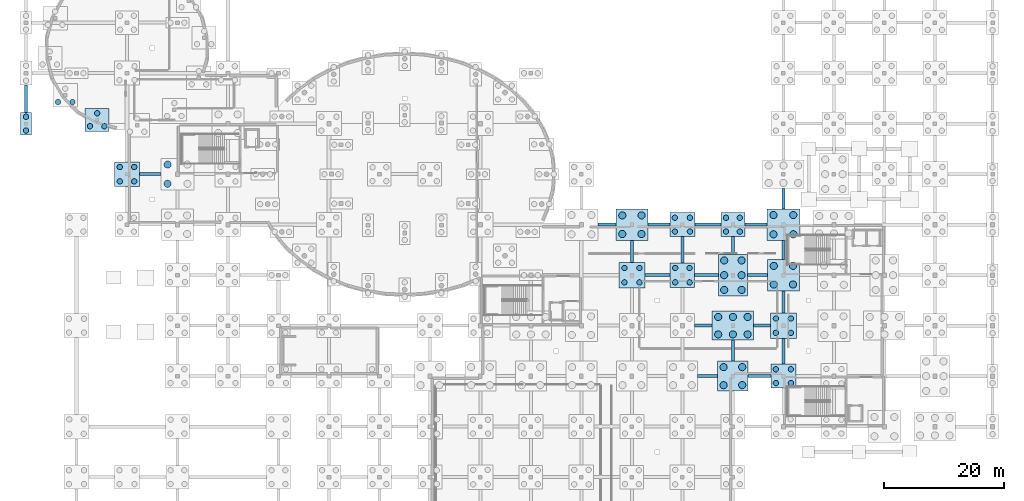
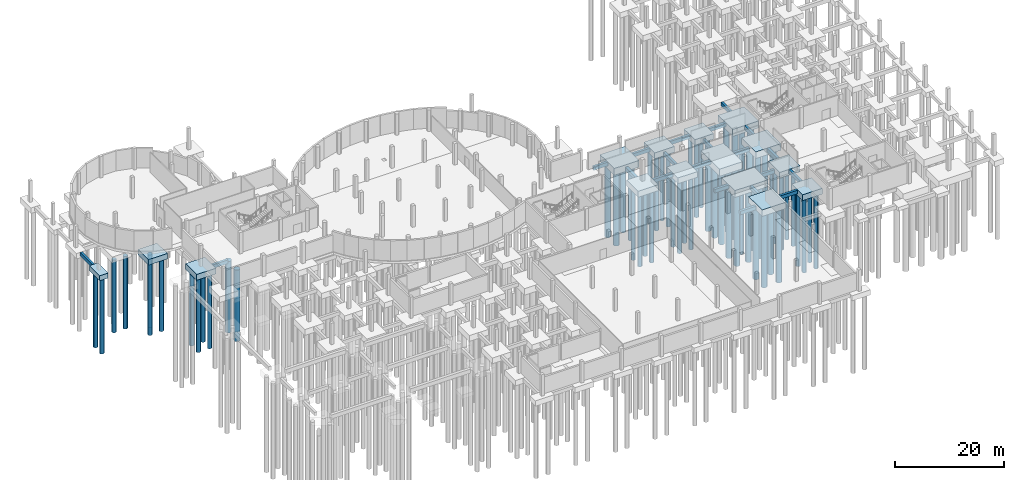
# One storey, part 6 of 24: 65 piles, 36 footings.
"""IFC4 building model written with IfcOpenShell, lengths in metres."""

from ifc_helpers import new_model, si_unit, derived_unit, direction, frame, origin, origin_2d, place, context, subcontext, project, spatial, rectangle, circle, extrude, material, layer, layer_set, material_profile, profile_set, type_object, element, save


model = new_model("IFC4")

# Units and contexts
model_context = context("Model", 3, precision=1e-05, world=origin(), true_north=direction((0.0, 1.0)))
body_context = subcontext(model_context, "Body", "Model", "MODEL_VIEW")
ifc_project = project(units=[si_unit("LENGTHUNIT", "METRE"), si_unit("AREAUNIT", "SQUARE_METRE"), si_unit("VOLUMEUNIT", "CUBIC_METRE"), si_unit("PLANEANGLEUNIT", "RADIAN"), si_unit("MASSUNIT", "GRAM", prefix="KILO"), derived_unit("THERMALTRANSMITTANCEUNIT", [(si_unit("POWERUNIT", "WATT"), 1), (si_unit("LENGTHUNIT", "METRE"), -2), (si_unit("THERMODYNAMICTEMPERATUREUNIT", "KELVIN"), -1)])], contexts=[model_context])

# Site, building, storey
site_placement = place(None, origin())
site = spatial("IfcSite", under=ifc_project, at=site_placement, CompositionType="ELEMENT")
building_placement = place(site_placement, origin())
building = spatial("IfcBuilding", under=site, at=building_placement, Name="Elbkamm Science Centre", CompositionType="ELEMENT")
storey_placement = place(building_placement, frame((0.0, 0.0, -4.800048828125)))
storey = spatial("IfcBuildingStorey", under=building, at=storey_placement, Name="B01", CompositionType="ELEMENT", Elevation=-4.800048828125)

# Footings
ifc_material = material(Name="Concrete C35/45", Category="concrete")
footing_type_1 = type_object("IfcFootingType", Name="FTG-TIE-500x800", PredefinedType="FOOTING_BEAM", material=ifc_material)
footing_1_placement = place(storey_placement, frame((113.39990234375, 33.60009765625, -1.2998046875), z_axis=(0.0, 0.0, 1.0), x_axis=(1.0, 0.0, 0.0)))
element("IfcFooting", 1, at=footing_1_placement, inside=storey, type_object=footing_type_1, Name="Substructure Ground Tie Beam X-053", PredefinedType="FOOTING_BEAM", context=body_context, shape_type="SweptSolid", body=[
    extrude(rectangle(XDim=3.300048828125, YDim=0.5, at=origin_2d()), origin(), (0.0, 0.0, 1.0), 0.800048828125),
])
footing_2_placement = place(storey_placement, frame((122.02490234375, 33.60009765625, -0.7998046875), z_axis=(0.0, 0.0, 1.0), x_axis=(1.0, 0.0, 0.0)))
element("IfcFooting", 2, at=footing_2_placement, inside=storey, type_object=footing_type_1, Name="Substructure Ground Tie Beam X-054", PredefinedType="FOOTING_BEAM", context=body_context, shape_type="SweptSolid", body=[
    extrude(rectangle(XDim=3.75, YDim=0.5, at=origin_2d()), origin(), (0.0, 0.0, 1.0), 0.800048828125),
])
footing_3_placement = place(storey_placement, frame((112.675048828125, 42.0, -1.2998046875), z_axis=(0.0, 0.0, 1.0), x_axis=(1.0, 0.0, 0.0)))
element("IfcFooting", 3, at=footing_3_placement, inside=storey, type_object=footing_type_1, Name="Substructure Ground Tie Beam X-066", PredefinedType="FOOTING_BEAM", context=body_context, shape_type="SweptSolid", body=[
    extrude(rectangle(XDim=2.949951171875, YDim=0.5, at=origin_2d()), origin(), (0.0, 0.0, 1.0), 0.800048828125),
])
footing_4_placement = place(storey_placement, frame((122.449951171875, 42.0, -1.2998046875), z_axis=(0.0, 0.0, 1.0), x_axis=(1.0, 0.0, 0.0)))
element("IfcFooting", 4, at=footing_4_placement, inside=storey, type_object=footing_type_1, Name="Substructure Ground Tie Beam X-067", PredefinedType="FOOTING_BEAM", context=body_context, shape_type="SweptSolid", body=[
    extrude(rectangle(XDim=2.800048828125, YDim=0.5, at=origin_2d()), origin(), (0.0, 0.0, 1.0), 0.800048828125),
])
footing_5_placement = place(storey_placement, frame((105.050048828125, 50.39990234375, -1.2998046875), z_axis=(0.0, 0.0, 1.0), x_axis=(1.0, 0.0, 0.0)))
element("IfcFooting", 5, at=footing_5_placement, inside=storey, type_object=footing_type_1, Name="Substructure Ground Tie Beam X-074", PredefinedType="FOOTING_BEAM", context=body_context, shape_type="SweptSolid", body=[
    extrude(rectangle(XDim=4.199951171875, YDim=0.5, at=origin_2d()), origin(), (0.0, 0.0, 1.0), 0.800048828125),
])
footing_6_placement = place(storey_placement, frame((113.22509765625, 50.39990234375, -1.2998046875), z_axis=(0.0, 0.0, 1.0), x_axis=(1.0, 0.0, 0.0)))
element("IfcFooting", 6, at=footing_6_placement, inside=storey, type_object=footing_type_1, Name="Substructure Ground Tie Beam X-075", PredefinedType="FOOTING_BEAM", context=body_context, shape_type="SweptSolid", body=[
    extrude(rectangle(XDim=3.949951171875, YDim=0.5, at=origin_2d()), origin(), (0.0, 0.0, 1.0), 0.800048828125),
])
footing_7_placement = place(storey_placement, frame((121.675048828125, 50.39990234375, -1.2998046875), z_axis=(0.0, 0.0, 1.0), x_axis=(1.0, 0.0, 0.0)))
element("IfcFooting", 7, at=footing_7_placement, inside=storey, type_object=footing_type_1, Name="Substructure Ground Tie Beam X-076", PredefinedType="FOOTING_BEAM", context=body_context, shape_type="SweptSolid", body=[
    extrude(rectangle(XDim=3.35009765625, YDim=0.5, at=origin_2d()), origin(), (0.0, 0.0, 1.0), 0.800048828125),
])
footing_8_placement = place(storey_placement, frame((96.64990234375, 58.800048828125, -0.7998046875), z_axis=(0.0, 0.0, 1.0), x_axis=(1.0, 0.0, 0.0)))
element("IfcFooting", 8, at=footing_8_placement, inside=storey, type_object=footing_type_1, Name="Substructure Ground Tie Beam X-085", PredefinedType="FOOTING_BEAM", context=body_context, shape_type="SweptSolid", body=[
    extrude(rectangle(XDim=3.0, YDim=0.5, at=origin_2d()), origin(), (0.0, 0.0, 1.0), 0.800048828125),
])
footing_9_placement = place(storey_placement, frame((105.27490234375, 58.800048828125, -0.7998046875), z_axis=(0.0, 0.0, 1.0), x_axis=(1.0, 0.0, 0.0)))
element("IfcFooting", 9, at=footing_9_placement, inside=storey, type_object=footing_type_1, Name="Substructure Ground Tie Beam X-086", PredefinedType="FOOTING_BEAM", context=body_context, shape_type="SweptSolid", body=[
    extrude(rectangle(XDim=3.64990234375, YDim=0.5, at=origin_2d()), origin(), (0.0, 0.0, 1.0), 0.800048828125),
])
footing_10_placement = place(storey_placement, frame((113.449951171875, 58.800048828125, -0.7998046875), z_axis=(0.0, 0.0, 1.0), x_axis=(1.0, 0.0, 0.0)))
element("IfcFooting", 10, at=footing_10_placement, inside=storey, type_object=footing_type_1, Name="Substructure Ground Tie Beam X-087", PredefinedType="FOOTING_BEAM", context=body_context, shape_type="SweptSolid", body=[
    extrude(rectangle(XDim=4.300048828125, YDim=0.5, at=origin_2d()), origin(), (0.0, 0.0, 1.0), 0.800048828125),
])
footing_11_placement = place(storey_placement, frame((121.425048828125, 58.800048828125, -0.7998046875), z_axis=(0.0, 0.0, 1.0), x_axis=(1.0, 0.0, 0.0)))
element("IfcFooting", 11, at=footing_11_placement, inside=storey, type_object=footing_type_1, Name="Substructure Ground Tie Beam X-088", PredefinedType="FOOTING_BEAM", context=body_context, shape_type="SweptSolid", body=[
    extrude(rectangle(XDim=3.64990234375, YDim=0.5, at=origin_2d()), origin(), (0.0, 0.0, 1.0), 0.800048828125),
])
footing_12_placement = place(storey_placement, frame((20.64990234375, 67.199951171875, -1.2998046875), z_axis=(0.0, 0.0, 1.0), x_axis=(1.0, 0.0, 0.0)))
element("IfcFooting", 12, at=footing_12_placement, inside=storey, type_object=footing_type_1, Name="Substructure Ground Tie Beam X-091", PredefinedType="FOOTING_BEAM", context=body_context, shape_type="SweptSolid", body=[
    extrude(rectangle(XDim=3.60009765625, YDim=0.5, at=origin_2d()), origin(), (0.0, 0.0, 1.0), 0.800048828125),
])
footing_13_placement = place(storey_placement, frame((0.0, 79.75, -0.7998046875), z_axis=(0.0, 0.0, 1.0), x_axis=(1.0, 0.0, 0.0)))
element("IfcFooting", 13, at=footing_13_placement, inside=storey, type_object=footing_type_1, Name="Substructure Ground Tie Beam Y-124", PredefinedType="FOOTING_BEAM", context=body_context, shape_type="SweptSolid", body=[
    extrude(rectangle(XDim=0.5, YDim=4.5, at=origin_2d()), origin(), (0.0, 0.0, 1.0), 0.800048828125),
])
footing_14_placement = place(storey_placement, frame((100.800048828125, 54.35009765625, -1.2998046875), z_axis=(0.0, 0.0, 1.0), x_axis=(1.0, 0.0, 0.0)))
element("IfcFooting", 14, at=footing_14_placement, inside=storey, type_object=footing_type_1, Name="Substructure Ground Tie Beam Y-192", PredefinedType="FOOTING_BEAM", context=body_context, shape_type="SweptSolid", body=[
    extrude(rectangle(XDim=0.5, YDim=3.699951171875, at=origin_2d()), origin(), (0.0, 0.0, 1.0), 0.800048828125),
])
footing_15_placement = place(storey_placement, frame((109.199951171875, 54.625, -1.2998046875), z_axis=(0.0, 0.0, 1.0), x_axis=(1.0, 0.0, 0.0)))
element("IfcFooting", 15, at=footing_15_placement, inside=storey, type_object=footing_type_1, Name="Substructure Ground Tie Beam Y-199", PredefinedType="FOOTING_BEAM", context=body_context, shape_type="SweptSolid", body=[
    extrude(rectangle(XDim=0.5, YDim=4.35009765625, at=origin_2d()), origin(), (0.0, 0.0, 1.0), 0.800048828125),
])
footing_16_placement = place(storey_placement, frame((117.60009765625, 37.85009765625, -1.2998046875), z_axis=(0.0, 0.0, 1.0), x_axis=(1.0, 0.0, 0.0)))
element("IfcFooting", 16, at=footing_16_placement, inside=storey, type_object=footing_type_1, Name="Substructure Ground Tie Beam Y-204", PredefinedType="FOOTING_BEAM", context=body_context, shape_type="SweptSolid", body=[
    extrude(rectangle(XDim=0.5, YDim=3.5, at=origin_2d()), origin(), (0.0, 0.0, 1.0), 0.800048828125),
])
footing_17_placement = place(storey_placement, frame((117.60009765625, 55.324951171875, -1.2998046875), z_axis=(0.0, 0.0, 1.0), x_axis=(1.0, 0.0, 0.0)))
element("IfcFooting", 17, at=footing_17_placement, inside=storey, type_object=footing_type_1, Name="Substructure Ground Tie Beam Y-205", PredefinedType="FOOTING_BEAM", context=body_context, shape_type="SweptSolid", body=[
    extrude(rectangle(XDim=0.5, YDim=2.949951171875, at=origin_2d()), origin(), (0.0, 0.0, 1.0), 0.800048828125),
])
footing_18_placement = place(storey_placement, frame((126.0, 37.75, -0.7998046875), z_axis=(0.0, 0.0, 1.0), x_axis=(1.0, 0.0, 0.0)))
element("IfcFooting", 18, at=footing_18_placement, inside=storey, type_object=footing_type_1, Name="Substructure Ground Tie Beam Y-207", PredefinedType="FOOTING_BEAM", context=body_context, shape_type="SweptSolid", body=[
    extrude(rectangle(XDim=0.5, YDim=4.300048828125, at=origin_2d()), origin(), (0.0, 0.0, 1.0), 0.800048828125),
])
footing_19_placement = place(storey_placement, frame((126.0, 45.949951171875, -0.7998046875), z_axis=(0.0, 0.0, 1.0), x_axis=(1.0, 0.0, 0.0)))
element("IfcFooting", 19, at=footing_19_placement, inside=storey, type_object=footing_type_1, Name="Substructure Ground Tie Beam Y-208", PredefinedType="FOOTING_BEAM", context=body_context, shape_type="SweptSolid", body=[
    extrude(rectangle(XDim=0.5, YDim=3.699951171875, at=origin_2d()), origin(), (0.0, 0.0, 1.0), 0.800048828125),
])
footing_20_placement = place(storey_placement, frame((126.0, 54.574951171875, -0.7998046875), z_axis=(0.0, 0.0, 1.0), x_axis=(1.0, 0.0, 0.0)))
element("IfcFooting", 20, at=footing_20_placement, inside=storey, type_object=footing_type_1, Name="Substructure Ground Tie Beam Y-209", PredefinedType="FOOTING_BEAM", context=body_context, shape_type="SweptSolid", body=[
    extrude(rectangle(XDim=0.5, YDim=3.14990234375, at=origin_2d()), origin(), (0.0, 0.0, 1.0), 0.800048828125),
])
footing_21_placement = place(storey_placement, frame((126.0, 63.125, -0.7998046875), z_axis=(0.0, 0.0, 1.0), x_axis=(1.0, 0.0, 0.0)))
element("IfcFooting", 21, at=footing_21_placement, inside=storey, type_object=footing_type_1, Name="Substructure Ground Tie Beam Y-210", PredefinedType="FOOTING_BEAM", context=body_context, shape_type="SweptSolid", body=[
    extrude(rectangle(XDim=0.5, YDim=3.35009765625, at=origin_2d()), origin(), (0.0, 0.0, 1.0), 0.800048828125),
])
ifc_layer_1 = layer(ifc_material, 1.10009765625)
ifc_layer_set_1 = layer_set([ifc_layer_1], Name="Concrete C35/45")
footing_type_2 = type_object("IfcFootingType", Name="PC-2P-180x380x110", PredefinedType="PILE_CAP", material=ifc_layer_set_1)
footing_22_placement = place(storey_placement, frame((0.0, 75.60009765625, -1.10009765625), z_axis=(0.0, 0.0, 1.0), x_axis=(1.0, 0.0, 0.0)))
element("IfcFooting", 22, at=footing_22_placement, inside=storey, type_object=footing_type_2, Name="Pile Cap GRID-1-K", PredefinedType="PILE_CAP", context=body_context, shape_type="SweptSolid", body=[
    extrude(rectangle(XDim=1.800048828125, YDim=3.800048828125, at=origin_2d()), origin(), (0.0, 0.0, 1.0), 1.10009765625),
])
ifc_layer_2 = layer(ifc_material, 1.25)
ifc_layer_set_2 = layer_set([ifc_layer_2], Name="Concrete C35/45")
footing_type_3 = type_object("IfcFootingType", Name="PC-3P-400x380x125", PredefinedType="PILE_CAP", material=ifc_layer_set_2)
footing_23_placement = place(storey_placement, frame((11.843994140625, 76.236083984375, -1.75), z_axis=(0.0, 0.0, 1.0), x_axis=(1.0, 0.0, 0.0)))
element("IfcFooting", 23, at=footing_23_placement, inside=storey, type_object=footing_type_3, Name="Pile Cap DRUM-09", PredefinedType="PILE_CAP", context=body_context, shape_type="SweptSolid", body=[
    extrude(rectangle(XDim=4.0, YDim=3.800048828125, at=origin_2d()), origin(), (0.0, 0.0, 1.0), 1.25),
])
ifc_layer_3 = layer(ifc_material, 1.25)
ifc_layer_set_3 = layer_set([ifc_layer_3], Name="Concrete C35/45")
footing_type_4 = type_object("IfcFootingType", Name="PC-4P-400x400x125", PredefinedType="PILE_CAP", material=ifc_layer_set_3)
footing_24_placement = place(storey_placement, frame((117.60009765625, 58.800048828125, -1.25), z_axis=(0.0, 0.0, 1.0), x_axis=(1.0, 0.0, 0.0)))
element("IfcFooting", 24, at=footing_24_placement, inside=storey, type_object=footing_type_4, Name="Pile Cap GRID-15-H", PredefinedType="PILE_CAP", context=body_context, shape_type="SweptSolid", body=[
    extrude(rectangle(XDim=4.0, YDim=4.0, at=origin_2d()), origin(), (0.0, 0.0, 1.0), 1.25),
])
ifc_layer_4 = layer(ifc_material, 1.300048828125)
ifc_layer_set_4 = layer_set([ifc_layer_4], Name="Concrete C35/45")
footing_type_5 = type_object("IfcFootingType", Name="PC-4P-410x410x130", PredefinedType="PILE_CAP", material=ifc_layer_set_4)
for number, where, z_axis, x_axis, name in (
    (25, (16.800048828125, 67.199951171875, -1.2998046875), (0.0, 0.0, 1.0), (1.0, 0.0, 0.0), "Pile Cap GRID-3-J"),
    (26, (109.199951171875, 50.39990234375, -1.7998046875), (0.0, 0.0, 1.0), (1.0, 0.0, 0.0), "Pile Cap GRID-14-G"),
):
    element("IfcFooting", number, at=place(storey_placement, frame(where, z_axis=z_axis, x_axis=x_axis)), inside=storey, type_object=footing_type_5, Name=name, PredefinedType="PILE_CAP", context=body_context, shape_type="SweptSolid", body=[
        extrude(rectangle(XDim=4.10009765625, YDim=4.10009765625, at=origin_2d()), origin(), (0.0, 0.0, 1.0), 1.300048828125),
    ])
ifc_layer_5 = layer(ifc_material, 1.300048828125)
ifc_layer_set_5 = layer_set([ifc_layer_5], Name="Concrete C35/45")
footing_type_6 = type_object("IfcFootingType", Name="PC-4P-420x400x130", PredefinedType="PILE_CAP", material=ifc_layer_set_5)
for number, where, z_axis, x_axis, name in (
    (27, (109.199951171875, 58.800048828125, -1.2998046875), (0.0, 0.0, 1.0), (1.0, 0.0, 0.0), "Pile Cap GRID-14-H"),
    (28, (126.0, 33.60009765625, -1.2998046875), (0.0, 0.0, 1.0), (1.0, 0.0, 0.0), "Pile Cap GRID-16-E"),
):
    element("IfcFooting", number, at=place(storey_placement, frame(where, z_axis=z_axis, x_axis=x_axis)), inside=storey, type_object=footing_type_6, Name=name, PredefinedType="PILE_CAP", context=body_context, shape_type="SweptSolid", body=[
        extrude(rectangle(XDim=4.199951171875, YDim=4.0, at=origin_2d()), origin(), (0.0, 0.0, 1.0), 1.300048828125),
    ])
ifc_layer_6 = layer(ifc_material, 1.35009765625)
ifc_layer_set_6 = layer_set([ifc_layer_6], Name="Concrete C35/45")
footing_type_7 = type_object("IfcFootingType", Name="PC-4P-430x420x135", PredefinedType="PILE_CAP", material=ifc_layer_set_6)
for number, where, z_axis, x_axis, name in (
    (29, (100.800048828125, 50.39990234375, -1.85009765625), (0.0, 0.0, 1.0), (1.0, 0.0, 0.0), "Pile Cap GRID-13-G"),
    (30, (126.0, 42.0, -1.35009765625), (0.0, 0.0, 1.0), (1.0, 0.0, 0.0), "Pile Cap GRID-16-F"),
):
    element("IfcFooting", number, at=place(storey_placement, frame(where, z_axis=z_axis, x_axis=x_axis)), inside=storey, type_object=footing_type_7, Name=name, PredefinedType="PILE_CAP", context=body_context, shape_type="SweptSolid", body=[
        extrude(rectangle(XDim=4.300048828125, YDim=4.199951171875, at=origin_2d()), origin(), (0.0, 0.0, 1.0), 1.35009765625),
    ])
ifc_layer_7 = layer(ifc_material, 1.449951171875)
ifc_layer_set_7 = layer_set([ifc_layer_7], Name="Concrete C35/45")
footing_type_8 = type_object("IfcFootingType", Name="PC-4P-510x500x145", PredefinedType="PILE_CAP", material=ifc_layer_set_7)
footing_25_placement = place(storey_placement, frame((117.60009765625, 33.60009765625, -1.44970703125), z_axis=(0.0, 0.0, 1.0), x_axis=(1.0, 0.0, 0.0)))
element("IfcFooting", 31, at=footing_25_placement, inside=storey, type_object=footing_type_8, Name="Pile Cap TH-PIER-N07", PredefinedType="PILE_CAP", context=body_context, shape_type="SweptSolid", body=[
    extrude(rectangle(XDim=5.10009765625, YDim=5.0, at=origin_2d()), origin(), (0.0, 0.0, 1.0), 1.449951171875),
])
ifc_layer_8 = layer(ifc_material, 1.5)
ifc_layer_set_8 = layer_set([ifc_layer_8], Name="Concrete C35/45")
footing_type_9 = type_object("IfcFootingType", Name="PC-4P-530x520x150", PredefinedType="PILE_CAP", material=ifc_layer_set_8)
for number, where, z_axis, x_axis, name in (
    (32, (100.800048828125, 58.800048828125, -1.5), (0.0, 0.0, 1.0), (1.0, 0.0, 0.0), "Pile Cap GRID-13-H"),
    (33, (126.0, 50.39990234375, -1.5), (0.0, 0.0, 1.0), (1.0, 0.0, 0.0), "Pile Cap GRID-16-G"),
):
    element("IfcFooting", number, at=place(storey_placement, frame(where, z_axis=z_axis, x_axis=x_axis)), inside=storey, type_object=footing_type_9, Name=name, PredefinedType="PILE_CAP", context=body_context, shape_type="SweptSolid", body=[
        extrude(rectangle(XDim=5.300048828125, YDim=5.199951171875, at=origin_2d()), origin(), (0.0, 0.0, 1.0), 1.5),
    ])
ifc_layer_9 = layer(ifc_material, 1.550048828125)
ifc_layer_set_9 = layer_set([ifc_layer_9], Name="Concrete C35/45")
footing_type_10 = type_object("IfcFootingType", Name="PC-4P-550x530x155", PredefinedType="PILE_CAP", material=ifc_layer_set_9)
footing_26_placement = place(storey_placement, frame((126.0, 58.800048828125, -1.5498046875), z_axis=(0.0, 0.0, 1.0), x_axis=(1.0, 0.0, 0.0)))
element("IfcFooting", 34, at=footing_26_placement, inside=storey, type_object=footing_type_10, Name="Pile Cap GRID-16-H", PredefinedType="PILE_CAP", context=body_context, shape_type="SweptSolid", body=[
    extrude(rectangle(XDim=5.5, YDim=5.300048828125, at=origin_2d()), origin(), (0.0, 0.0, 1.0), 1.550048828125),
])
ifc_layer_10 = layer(ifc_material, 1.60009765625)
ifc_layer_set_10 = layer_set([ifc_layer_10], Name="Concrete C35/45")
footing_type_11 = type_object("IfcFootingType", Name="PC-6P-480x690x160", PredefinedType="PILE_CAP", material=ifc_layer_set_10)
footing_27_placement = place(storey_placement, frame((117.60009765625, 50.39990234375, -2.10009765625), z_axis=(0.0, 0.0, 1.0), x_axis=(1.0, 0.0, 0.0)))
element("IfcFooting", 35, at=footing_27_placement, inside=storey, type_object=footing_type_11, Name="Pile Cap GRID-15-G", PredefinedType="PILE_CAP", context=body_context, shape_type="SweptSolid", body=[
    extrude(rectangle(XDim=4.800048828125, YDim=6.89990234375, at=origin_2d()), origin(), (0.0, 0.0, 1.0), 1.60009765625),
])
ifc_layer_11 = layer(ifc_material, 1.550048828125)
ifc_layer_set_11 = layer_set([ifc_layer_11], Name="Concrete C35/45")
footing_type_12 = type_object("IfcFootingType", Name="PC-6P-690x480x155", PredefinedType="PILE_CAP", material=ifc_layer_set_11)
footing_28_placement = place(storey_placement, frame((117.60009765625, 42.0, -2.0498046875), z_axis=(0.0, 0.0, 1.0), x_axis=(1.0, 0.0, 0.0)))
element("IfcFooting", 36, at=footing_28_placement, inside=storey, type_object=footing_type_12, Name="Pile Cap GRID-15-F", PredefinedType="PILE_CAP", context=body_context, shape_type="SweptSolid", body=[
    extrude(rectangle(XDim=6.89990234375, YDim=4.800048828125, at=origin_2d()), origin(), (0.0, 0.0, 1.0), 1.550048828125),
])

# Piles
ifc_material_profile_1 = material_profile(ifc_material, circle(Radius=0.60009765625, at=origin_2d()), Name="PILE D1200")
ifc_profile_set_1 = profile_set([ifc_material_profile_1], Name="Concrete C35/45")
pile_type_1 = type_object("IfcPileType", Name="PILE-BORED-1200", PredefinedType="BORED", material=ifc_profile_set_1)
for number, where, z_axis, x_axis, name in (
    (37, (116.050048828125, 32.10009765625, -1.349853515625), (0.0, 0.0, -1.0), (1.0, 0.0, 0.0), "Bored Pile TH-PIER-N07-1"),
    (38, (119.14990234375, 32.10009765625, -1.349853515625), (0.0, 0.0, -1.0), (1.0, 0.0, 0.0), "Bored Pile TH-PIER-N07-2"),
    (39, (116.050048828125, 35.10009765625, -1.349853515625), (0.0, 0.0, -1.0), (1.0, 0.0, 0.0), "Bored Pile TH-PIER-N07-3"),
    (40, (119.14990234375, 35.10009765625, -1.349853515625), (0.0, 0.0, -1.0), (1.0, 0.0, 0.0), "Bored Pile TH-PIER-N07-4"),
):
    element("IfcPile", number, at=place(storey_placement, frame(where, z_axis=z_axis, x_axis=x_axis)), inside=storey, type_object=pile_type_1, Name=name, PredefinedType="BORED", context=body_context, shape_type="SweptSolid", body=[
        extrude(circle(Radius=0.60009765625, at=origin_2d()), origin(), (0.0, 0.0, 1.0), 16.64990234375),
    ])
for number, where, z_axis, x_axis, name in (
    (41, (23.550048828125, 65.60009765625, -1.949951171875), (0.0, 0.0, -1.0), (1.0, 0.0, 0.0), "Bored Pile GRID-4-J-1"),
    (42, (23.550048828125, 68.800048828125, -1.949951171875), (0.0, 0.0, -1.0), (1.0, 0.0, 0.0), "Bored Pile GRID-4-J-3"),
):
    element("IfcPile", number, at=place(storey_placement, frame(where, z_axis=z_axis, x_axis=x_axis)), inside=storey, type_object=pile_type_1, Name=name, PredefinedType="BORED", context=body_context, shape_type="SweptSolid", body=[
        extrude(circle(Radius=0.60009765625, at=origin_2d()), origin(), (0.0, 0.0, 1.0), 16.050048828125),
    ])
for number, where, z_axis, x_axis, name in (
    (43, (99.199951171875, 57.25, -1.39990234375), (0.0, 0.0, -1.0), (1.0, 0.0, 0.0), "Bored Pile GRID-13-H-1"),
    (44, (102.39990234375, 57.25, -1.39990234375), (0.0, 0.0, -1.0), (1.0, 0.0, 0.0), "Bored Pile GRID-13-H-2"),
    (45, (99.199951171875, 60.35009765625, -1.39990234375), (0.0, 0.0, -1.0), (1.0, 0.0, 0.0), "Bored Pile GRID-13-H-3"),
    (46, (102.39990234375, 60.35009765625, -1.39990234375), (0.0, 0.0, -1.0), (1.0, 0.0, 0.0), "Bored Pile GRID-13-H-4"),
):
    element("IfcPile", number, at=place(storey_placement, frame(where, z_axis=z_axis, x_axis=x_axis)), inside=storey, type_object=pile_type_1, Name=name, PredefinedType="BORED", context=body_context, shape_type="SweptSolid", body=[
        extrude(circle(Radius=0.60009765625, at=origin_2d()), origin(), (0.0, 0.0, 1.0), 16.60009765625),
    ])
for number, where, z_axis, x_axis, name in (
    (47, (115.14990234375, 40.550048828125, -1.949951171875), (0.0, 0.0, -1.0), (1.0, 0.0, 0.0), "Bored Pile GRID-15-F-1"),
    (48, (117.60009765625, 40.550048828125, -1.949951171875), (0.0, 0.0, -1.0), (1.0, 0.0, 0.0), "Bored Pile GRID-15-F-2"),
    (49, (120.050048828125, 40.550048828125, -1.949951171875), (0.0, 0.0, -1.0), (1.0, 0.0, 0.0), "Bored Pile GRID-15-F-3"),
    (50, (115.14990234375, 43.449951171875, -1.949951171875), (0.0, 0.0, -1.0), (1.0, 0.0, 0.0), "Bored Pile GRID-15-F-4"),
    (51, (117.60009765625, 43.449951171875, -1.949951171875), (0.0, 0.0, -1.0), (1.0, 0.0, 0.0), "Bored Pile GRID-15-F-5"),
    (52, (120.050048828125, 43.449951171875, -1.949951171875), (0.0, 0.0, -1.0), (1.0, 0.0, 0.0), "Bored Pile GRID-15-F-6"),
):
    element("IfcPile", number, at=place(storey_placement, frame(where, z_axis=z_axis, x_axis=x_axis)), inside=storey, type_object=pile_type_1, Name=name, PredefinedType="BORED", context=body_context, shape_type="SweptSolid", body=[
        extrude(circle(Radius=0.60009765625, at=origin_2d()), origin(), (0.0, 0.0, 1.0), 16.050048828125),
    ])
for number, where, z_axis, x_axis, name in (
    (53, (116.14990234375, 47.949951171875, -2.0), (0.0, 0.0, -1.0), (1.0, 0.0, 0.0), "Bored Pile GRID-15-G-1"),
    (54, (116.14990234375, 50.39990234375, -2.0), (0.0, 0.0, -1.0), (1.0, 0.0, 0.0), "Bored Pile GRID-15-G-2"),
    (55, (116.14990234375, 52.85009765625, -2.0), (0.0, 0.0, -1.0), (1.0, 0.0, 0.0), "Bored Pile GRID-15-G-3"),
    (56, (119.050048828125, 47.949951171875, -2.0), (0.0, 0.0, -1.0), (1.0, 0.0, 0.0), "Bored Pile GRID-15-G-4"),
    (57, (119.050048828125, 50.39990234375, -2.0), (0.0, 0.0, -1.0), (1.0, 0.0, 0.0), "Bored Pile GRID-15-G-5"),
    (58, (119.050048828125, 52.85009765625, -2.0), (0.0, 0.0, -1.0), (1.0, 0.0, 0.0), "Bored Pile GRID-15-G-6"),
):
    element("IfcPile", number, at=place(storey_placement, frame(where, z_axis=z_axis, x_axis=x_axis)), inside=storey, type_object=pile_type_1, Name=name, PredefinedType="BORED", context=body_context, shape_type="SweptSolid", body=[
        extrude(circle(Radius=0.60009765625, at=origin_2d()), origin(), (0.0, 0.0, 1.0), 16.0),
    ])
for number, where, z_axis, x_axis, name in (
    (59, (124.39990234375, 48.85009765625, -1.39990234375), (0.0, 0.0, -1.0), (1.0, 0.0, 0.0), "Bored Pile GRID-16-G-1"),
    (60, (127.60009765625, 48.85009765625, -1.39990234375), (0.0, 0.0, -1.0), (1.0, 0.0, 0.0), "Bored Pile GRID-16-G-2"),
    (61, (124.39990234375, 51.949951171875, -1.39990234375), (0.0, 0.0, -1.0), (1.0, 0.0, 0.0), "Bored Pile GRID-16-G-3"),
    (62, (127.60009765625, 51.949951171875, -1.39990234375), (0.0, 0.0, -1.0), (1.0, 0.0, 0.0), "Bored Pile GRID-16-G-4"),
):
    element("IfcPile", number, at=place(storey_placement, frame(where, z_axis=z_axis, x_axis=x_axis)), inside=storey, type_object=pile_type_1, Name=name, PredefinedType="BORED", context=body_context, shape_type="SweptSolid", body=[
        extrude(circle(Radius=0.60009765625, at=origin_2d()), origin(), (0.0, 0.0, 1.0), 16.60009765625),
    ])
for number, where, z_axis, x_axis, name in (
    (63, (124.35009765625, 57.199951171875, -1.449951171875), (0.0, 0.0, -1.0), (1.0, 0.0, 0.0), "Bored Pile GRID-16-H-1"),
    (64, (127.64990234375, 57.199951171875, -1.449951171875), (0.0, 0.0, -1.0), (1.0, 0.0, 0.0), "Bored Pile GRID-16-H-2"),
    (65, (124.35009765625, 60.39990234375, -1.449951171875), (0.0, 0.0, -1.0), (1.0, 0.0, 0.0), "Bored Pile GRID-16-H-3"),
    (66, (127.64990234375, 60.39990234375, -1.449951171875), (0.0, 0.0, -1.0), (1.0, 0.0, 0.0), "Bored Pile GRID-16-H-4"),
):
    element("IfcPile", number, at=place(storey_placement, frame(where, z_axis=z_axis, x_axis=x_axis)), inside=storey, type_object=pile_type_1, Name=name, PredefinedType="BORED", context=body_context, shape_type="SweptSolid", body=[
        extrude(circle(Radius=0.60009765625, at=origin_2d()), origin(), (0.0, 0.0, 1.0), 16.550048828125),
    ])
ifc_material_profile_2 = material_profile(ifc_material, circle(Radius=0.449951171875, at=origin_2d()), Name="PILE D900")
ifc_profile_set_2 = profile_set([ifc_material_profile_2], Name="Concrete C35/45")
pile_type_2 = type_object("IfcPileType", Name="PILE-BORED-900", PredefinedType="BORED", material=ifc_profile_set_2)
for number, where, z_axis, x_axis, name in (
    (67, (5.325927734375, 79.217041015625, -1.699951171875), (0.0, 0.0, -1.0), (1.0, 0.0, 0.0), "Bored Pile DRUM-08-1"),
    (68, (7.72607421875, 79.217041015625, -1.699951171875), (0.0, 0.0, -1.0), (1.0, 0.0, 0.0), "Bored Pile DRUM-08-2"),
):
    element("IfcPile", number, at=place(storey_placement, frame(where, z_axis=z_axis, x_axis=x_axis)), inside=storey, type_object=pile_type_2, Name=name, PredefinedType="BORED", context=body_context, shape_type="SweptSolid", body=[
        extrude(circle(Radius=0.449951171875, at=origin_2d()), origin(), (0.0, 0.0, 1.0), 16.300048828125),
    ])
for number, where, z_axis, x_axis, name in (
    (69, (10.64404296875, 75.18603515625, -1.64990234375), (0.0, 0.0, -1.0), (1.0, 0.0, 0.0), "Bored Pile DRUM-09-1"),
    (70, (13.0439453125, 75.18603515625, -1.64990234375), (0.0, 0.0, -1.0), (1.0, 0.0, 0.0), "Bored Pile DRUM-09-2"),
    (71, (11.843994140625, 77.3359375, -1.64990234375), (0.0, 0.0, -1.0), (1.0, 0.0, 0.0), "Bored Pile DRUM-09-3"),
):
    element("IfcPile", number, at=place(storey_placement, frame(where, z_axis=z_axis, x_axis=x_axis)), inside=storey, type_object=pile_type_2, Name=name, PredefinedType="BORED", context=body_context, shape_type="SweptSolid", body=[
        extrude(circle(Radius=0.449951171875, at=origin_2d()), origin(), (0.0, 0.0, 1.0), 16.35009765625),
    ])
for number, where, z_axis, x_axis, name in (
    (72, (0.0, 74.449951171875, -1.0), (0.0, 0.0, -1.0), (1.0, 0.0, 0.0), "Bored Pile GRID-1-K-1"),
    (73, (0.0, 76.75, -1.0), (0.0, 0.0, -1.0), (1.0, 0.0, 0.0), "Bored Pile GRID-1-K-2"),
):
    element("IfcPile", number, at=place(storey_placement, frame(where, z_axis=z_axis, x_axis=x_axis)), inside=storey, type_object=pile_type_2, Name=name, PredefinedType="BORED", context=body_context, shape_type="SweptSolid", body=[
        extrude(circle(Radius=0.449951171875, at=origin_2d()), origin(), (0.0, 0.0, 1.0), 17.0),
    ])
for number, where, z_axis, x_axis, name in (
    (74, (15.60009765625, 66.0, -1.199951171875), (0.0, 0.0, -1.0), (1.0, 0.0, 0.0), "Bored Pile GRID-3-J-1"),
    (75, (18.0, 66.0, -1.199951171875), (0.0, 0.0, -1.0), (1.0, 0.0, 0.0), "Bored Pile GRID-3-J-2"),
    (76, (15.60009765625, 68.39990234375, -1.199951171875), (0.0, 0.0, -1.0), (1.0, 0.0, 0.0), "Bored Pile GRID-3-J-3"),
    (77, (18.0, 68.39990234375, -1.199951171875), (0.0, 0.0, -1.0), (1.0, 0.0, 0.0), "Bored Pile GRID-3-J-4"),
):
    element("IfcPile", number, at=place(storey_placement, frame(where, z_axis=z_axis, x_axis=x_axis)), inside=storey, type_object=pile_type_2, Name=name, PredefinedType="BORED", context=body_context, shape_type="SweptSolid", body=[
        extrude(circle(Radius=0.449951171875, at=origin_2d()), origin(), (0.0, 0.0, 1.0), 16.800048828125),
    ])
for number, where, z_axis, x_axis, name in (
    (78, (99.550048828125, 49.199951171875, -1.75), (0.0, 0.0, -1.0), (1.0, 0.0, 0.0), "Bored Pile GRID-13-G-1"),
    (79, (102.050048828125, 49.199951171875, -1.75), (0.0, 0.0, -1.0), (1.0, 0.0, 0.0), "Bored Pile GRID-13-G-2"),
    (80, (99.550048828125, 51.60009765625, -1.75), (0.0, 0.0, -1.0), (1.0, 0.0, 0.0), "Bored Pile GRID-13-G-3"),
    (81, (102.050048828125, 51.60009765625, -1.75), (0.0, 0.0, -1.0), (1.0, 0.0, 0.0), "Bored Pile GRID-13-G-4"),
):
    element("IfcPile", number, at=place(storey_placement, frame(where, z_axis=z_axis, x_axis=x_axis)), inside=storey, type_object=pile_type_2, Name=name, PredefinedType="BORED", context=body_context, shape_type="SweptSolid", body=[
        extrude(circle(Radius=0.449951171875, at=origin_2d()), origin(), (0.0, 0.0, 1.0), 16.25),
    ])
for number, where, z_axis, x_axis, name in (
    (82, (108.0, 49.199951171875, -1.699951171875), (0.0, 0.0, -1.0), (1.0, 0.0, 0.0), "Bored Pile GRID-14-G-1"),
    (83, (110.39990234375, 49.199951171875, -1.699951171875), (0.0, 0.0, -1.0), (1.0, 0.0, 0.0), "Bored Pile GRID-14-G-2"),
    (84, (108.0, 51.60009765625, -1.699951171875), (0.0, 0.0, -1.0), (1.0, 0.0, 0.0), "Bored Pile GRID-14-G-3"),
    (85, (110.39990234375, 51.60009765625, -1.699951171875), (0.0, 0.0, -1.0), (1.0, 0.0, 0.0), "Bored Pile GRID-14-G-4"),
):
    element("IfcPile", number, at=place(storey_placement, frame(where, z_axis=z_axis, x_axis=x_axis)), inside=storey, type_object=pile_type_2, Name=name, PredefinedType="BORED", context=body_context, shape_type="SweptSolid", body=[
        extrude(circle(Radius=0.449951171875, at=origin_2d()), origin(), (0.0, 0.0, 1.0), 16.300048828125),
    ])
for number, where, z_axis, x_axis, name in (
    (86, (107.949951171875, 57.64990234375, -1.199951171875), (0.0, 0.0, -1.0), (1.0, 0.0, 0.0), "Bored Pile GRID-14-H-1"),
    (87, (110.449951171875, 57.64990234375, -1.199951171875), (0.0, 0.0, -1.0), (1.0, 0.0, 0.0), "Bored Pile GRID-14-H-2"),
    (88, (107.949951171875, 59.949951171875, -1.199951171875), (0.0, 0.0, -1.0), (1.0, 0.0, 0.0), "Bored Pile GRID-14-H-3"),
    (89, (110.449951171875, 59.949951171875, -1.199951171875), (0.0, 0.0, -1.0), (1.0, 0.0, 0.0), "Bored Pile GRID-14-H-4"),
):
    element("IfcPile", number, at=place(storey_placement, frame(where, z_axis=z_axis, x_axis=x_axis)), inside=storey, type_object=pile_type_2, Name=name, PredefinedType="BORED", context=body_context, shape_type="SweptSolid", body=[
        extrude(circle(Radius=0.449951171875, at=origin_2d()), origin(), (0.0, 0.0, 1.0), 16.800048828125),
    ])
for number, where, z_axis, x_axis, name in (
    (90, (116.449951171875, 57.64990234375, -1.14990234375), (0.0, 0.0, -1.0), (1.0, 0.0, 0.0), "Bored Pile GRID-15-H-1"),
    (91, (118.75, 57.64990234375, -1.14990234375), (0.0, 0.0, -1.0), (1.0, 0.0, 0.0), "Bored Pile GRID-15-H-2"),
    (92, (116.449951171875, 59.949951171875, -1.14990234375), (0.0, 0.0, -1.0), (1.0, 0.0, 0.0), "Bored Pile GRID-15-H-3"),
    (93, (118.75, 59.949951171875, -1.14990234375), (0.0, 0.0, -1.0), (1.0, 0.0, 0.0), "Bored Pile GRID-15-H-4"),
):
    element("IfcPile", number, at=place(storey_placement, frame(where, z_axis=z_axis, x_axis=x_axis)), inside=storey, type_object=pile_type_2, Name=name, PredefinedType="BORED", context=body_context, shape_type="SweptSolid", body=[
        extrude(circle(Radius=0.449951171875, at=origin_2d()), origin(), (0.0, 0.0, 1.0), 16.85009765625),
    ])
for number, where, z_axis, x_axis, name in (
    (94, (124.75, 32.449951171875, -1.199951171875), (0.0, 0.0, -1.0), (1.0, 0.0, 0.0), "Bored Pile GRID-16-E-1"),
    (95, (127.25, 32.449951171875, -1.199951171875), (0.0, 0.0, -1.0), (1.0, 0.0, 0.0), "Bored Pile GRID-16-E-2"),
    (96, (124.75, 34.75, -1.199951171875), (0.0, 0.0, -1.0), (1.0, 0.0, 0.0), "Bored Pile GRID-16-E-3"),
    (97, (127.25, 34.75, -1.199951171875), (0.0, 0.0, -1.0), (1.0, 0.0, 0.0), "Bored Pile GRID-16-E-4"),
):
    element("IfcPile", number, at=place(storey_placement, frame(where, z_axis=z_axis, x_axis=x_axis)), inside=storey, type_object=pile_type_2, Name=name, PredefinedType="BORED", context=body_context, shape_type="SweptSolid", body=[
        extrude(circle(Radius=0.449951171875, at=origin_2d()), origin(), (0.0, 0.0, 1.0), 16.800048828125),
    ])
for number, where, z_axis, x_axis, name in (
    (98, (124.75, 40.800048828125, -1.25), (0.0, 0.0, -1.0), (1.0, 0.0, 0.0), "Bored Pile GRID-16-F-1"),
    (99, (127.25, 40.800048828125, -1.25), (0.0, 0.0, -1.0), (1.0, 0.0, 0.0), "Bored Pile GRID-16-F-2"),
    (100, (124.75, 43.199951171875, -1.25), (0.0, 0.0, -1.0), (1.0, 0.0, 0.0), "Bored Pile GRID-16-F-3"),
    (101, (127.25, 43.199951171875, -1.25), (0.0, 0.0, -1.0), (1.0, 0.0, 0.0), "Bored Pile GRID-16-F-4"),
):
    element("IfcPile", number, at=place(storey_placement, frame(where, z_axis=z_axis, x_axis=x_axis)), inside=storey, type_object=pile_type_2, Name=name, PredefinedType="BORED", context=body_context, shape_type="SweptSolid", body=[
        extrude(circle(Radius=0.449951171875, at=origin_2d()), origin(), (0.0, 0.0, 1.0), 16.75),
    ])

save(model, "model.ifc")
